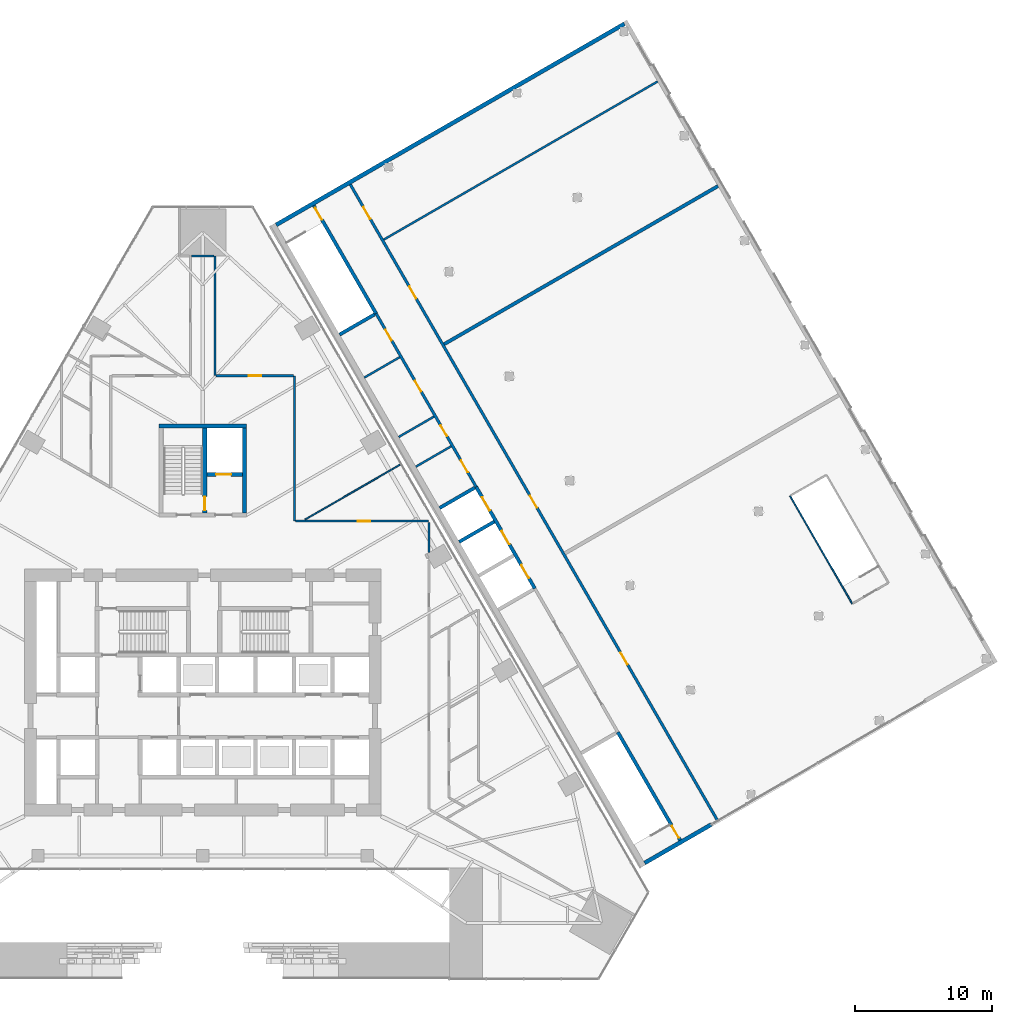
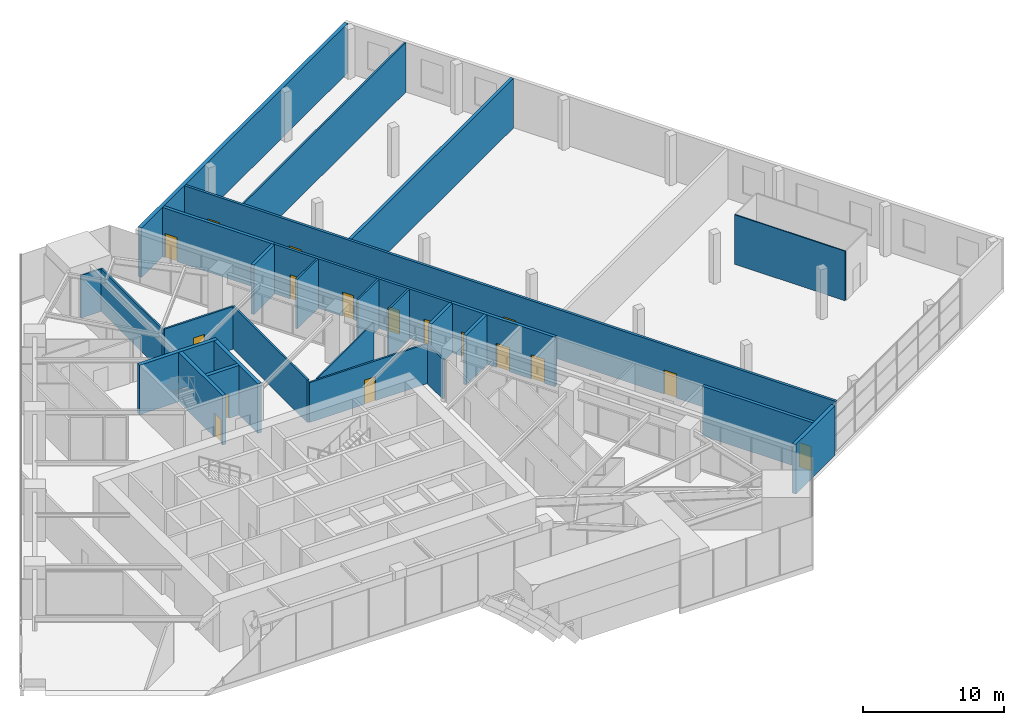
# One storey, part 19 of 23: 27 walls, 17 doors, 17 openings.
"""IFC4 building model written with IfcOpenShell, lengths in metres."""

from ifc_helpers import new_model, si_unit, direction, frame, frame_2d, origin, place, context, subcontext, project, spatial, rectangle, extrude, material, layer, layer_set, type_object, element, fill, save


model = new_model("IFC4")

# Units and contexts
model_context = context("Model", 3, precision=1e-05, world=origin(), true_north=direction((0.0, 1.0)))
body_context = subcontext(model_context, "Body", "Model", "MODEL_VIEW")
ifc_project = project(units=[si_unit("LENGTHUNIT", "METRE"), si_unit("AREAUNIT", "SQUARE_METRE"), si_unit("VOLUMEUNIT", "CUBIC_METRE"), si_unit("PLANEANGLEUNIT", "RADIAN"), si_unit("MASSUNIT", "GRAM", prefix="KILO")], contexts=[model_context])

# Site, building, storey
site_placement = place(None, origin())
site = spatial("IfcSite", under=ifc_project, at=site_placement, CompositionType="ELEMENT")
building_placement = place(site_placement, origin())
building = spatial("IfcBuilding", under=site, at=building_placement, Name="Firuza Gate Tower and Library", CompositionType="ELEMENT")
storey_placement = place(building_placement, frame((0.0, 0.0, 21.800048828125)))
storey = spatial("IfcBuildingStorey", under=building, at=storey_placement, Name="L04", CompositionType="ELEMENT", Elevation=21.800048828125)

# Walls
ifc_material_1 = material(Name="Concrete C80/95", Category="concrete")
ifc_layer_1 = layer(ifc_material_1, 0.300048828125)
ifc_layer_set_1 = layer_set([ifc_layer_1], Name="Core wall 300 C80/95")
wall_type_1 = type_object("IfcWallType", Name="Core wall 300 C80/95", PredefinedType="SHEAR", material=ifc_layer_set_1)
wall_1_placement = place(storey_placement, frame((71.800048828125, 94.449951171875, 0.0), z_axis=(0.0, 0.0, 1.0), x_axis=(1.0, 0.0, 0.0)))
element("IfcWall", 1, at=wall_1_placement, inside=storey, type_object=wall_type_1, Name="Core wall L04 35", PredefinedType="SHEAR", context=body_context, shape_type="SweptSolid", body=[
    extrude(rectangle(XDim=6.39990234375, YDim=0.300048828125, at=frame_2d((3.199951171875, 0.0))), origin(), (0.0, 0.0, 1.0), 4.300048828125),
])
wall_2_placement = place(storey_placement, frame((78.050048828125, 88.10009765625, 0.0), z_axis=(0.0, 0.0, 1.0), x_axis=(0.0, 1.0, 0.0)))
element("IfcWall", 2, at=wall_2_placement, inside=storey, type_object=wall_type_1, Name="Core wall L04 37", PredefinedType="SHEAR", context=body_context, shape_type="SweptSolid", body=[
    extrude(rectangle(XDim=6.199951171875, YDim=0.300048828125, at=frame_2d((3.10009765625, 0.0))), origin(), (0.0, 0.0, 1.0), 4.300048828125),
])

# Wall, opening, door
wall_3_placement = place(storey_placement, frame((75.300048828125, 90.89990234375, 0.0), z_axis=(0.0, 0.0, 1.0), x_axis=(1.0, 0.0, 0.0)))
wall_3 = element("IfcWall", 3, at=wall_3_placement, inside=storey, type_object=wall_type_1, Name="Core wall L04 38", PredefinedType="SHEAR", context=body_context, shape_type="SweptSolid", body=[
    extrude(rectangle(XDim=2.599853515625, YDim=0.300048828125, at=frame_2d((1.2998046875, 0.0))), origin(), (0.0, 0.0, 1.0), 4.300048828125),
])
opening_1_placement = place(wall_3_placement, frame((0.675048828125, 0.0, 0.0)))
opening_1 = element("IfcOpeningElement", 4, at=opening_1_placement, cuts=wall_3, Name="Opening LD-SV1-L04", PredefinedType="OPENING", context=body_context, shape_type="SweptSolid", body=[
    extrude(rectangle(XDim=1.10009765625, YDim=2.10009765625, at=frame_2d((0.550048828125, 1.050048828125))), frame((0.0, 0.16015625, 0.0), z_axis=(0.0, -1.0, 0.0), x_axis=(1.0, 0.0, 0.0)), (0.0, 0.0, 1.0), 0.320068359375),
])
ifc_material_2 = material(Name="Stainless steel", Category="steel")
door_type_1 = type_object("IfcDoorType", Name="Lift landing door 1100x2100", OperationType="DOUBLE_DOOR_SLIDING", PredefinedType="DOOR", material=ifc_material_2)
door_1_placement = place(opening_1_placement, origin())
door_1 = element("IfcDoor", 5, at=door_1_placement, inside=storey, type_object=door_type_1, Name="Landing door SV1 L04", OperationType="DOUBLE_DOOR_SLIDING", OverallHeight=2.10009765625, OverallWidth=1.10009765625, PredefinedType="DOOR", context=body_context, shape_type="SweptSolid", body=[
    extrude(rectangle(XDim=1.10009765625, YDim=2.10009765625, at=frame_2d((0.550048828125, 1.050048828125))), frame((0.0, 0.02490234375, 0.0), z_axis=(0.0, -1.0, 0.0), x_axis=(1.0, 0.0, 0.0)), (0.0, 0.0, 1.0), 0.050048828125),
])
fill(opening_1, door_1)

wall_4_placement = place(storey_placement, frame((75.14990234375, 88.10009765625, 0.0), z_axis=(0.0, 0.0, 1.0), x_axis=(0.0, 1.0, 0.0)))
wall_4 = element("IfcWall", 6, at=wall_4_placement, inside=storey, type_object=wall_type_1, Name="Core wall L04 39", PredefinedType="SHEAR", context=body_context, shape_type="SweptSolid", body=[
    extrude(rectangle(XDim=6.199951171875, YDim=0.300048828125, at=frame_2d((3.10009765625, 0.0))), origin(), (0.0, 0.0, 1.0), 4.300048828125),
])
opening_2_placement = place(wall_4_placement, frame((0.18505859375, 0.0, 0.0)))
opening_2 = element("IfcOpeningElement", 7, at=opening_2_placement, cuts=wall_4, Name="Opening L04-K18", PredefinedType="OPENING", context=body_context, shape_type="SweptSolid", body=[
    extrude(rectangle(XDim=1.0, YDim=2.10009765625, at=frame_2d((0.5, 1.050048828125))), frame((0.0, 0.16015625, 0.0), z_axis=(0.0, -1.0, 0.0), x_axis=(1.0, 0.0, 0.0)), (0.0, 0.0, 1.0), 0.320068359375),
])
ifc_material_3 = material(Name="Steel", Category="steel")
door_type_2 = type_object("IfcDoorType", Name="Fire door 1000x2100 FD90", OperationType="NOTDEFINED", PredefinedType="DOOR", material=ifc_material_3)
door_2_placement = place(opening_2_placement, origin())
door_2 = element("IfcDoor", 8, at=door_2_placement, inside=storey, type_object=door_type_2, Name="Door L04-K18", OperationType="SINGLE_SWING_LEFT", OverallHeight=2.10009765625, OverallWidth=1.0, PredefinedType="DOOR", context=body_context, shape_type="SweptSolid", body=[
    extrude(rectangle(XDim=1.0, YDim=2.10009765625, at=frame_2d((0.5, 1.050048828125))), frame((0.0, 0.02490234375, 0.0), z_axis=(0.0, -1.0, 0.0), x_axis=(1.0, 0.0, 0.0)), (0.0, 0.0, 1.0), 0.050048828125),
])
fill(opening_2, door_2)

ifc_material_4 = material(Name="Gypsum board partition")
ifc_layer_2 = layer(ifc_material_4, 0.14990234375)
ifc_layer_set_2 = layer_set([ifc_layer_2], Name="Corridor wall 150 double board on steel studs")
wall_type_2 = type_object("IfcWallType", Name="Corridor wall 150 double board on steel studs", PredefinedType="PARTITIONING", material=ifc_layer_set_2)
wall_5_placement = place(storey_placement, frame((81.77490234375, 87.5, 0.0), z_axis=(0.0, 0.0, 1.0), x_axis=(1.0, 0.0, 0.0)))
wall_5 = element("IfcWall", 9, at=wall_5_placement, inside=storey, type_object=wall_type_2, Name="f:L04:w000", PredefinedType="PARTITIONING", context=body_context, shape_type="SweptSolid", body=[
    extrude(rectangle(XDim=9.661865234375, YDim=0.14990234375, at=frame_2d((4.8310546875, 0.0))), origin(), (0.0, 0.0, 1.0), 3.46484375),
])
opening_3_placement = place(wall_5_placement, frame((4.51708984375, 0.0, 0.0)))
opening_3 = element("IfcOpeningElement", 10, at=opening_3_placement, cuts=wall_5, Name="Opening L04-01", PredefinedType="OPENING", context=body_context, shape_type="SweptSolid", body=[
    extrude(rectangle(XDim=0.89990234375, YDim=2.10009765625, at=frame_2d((0.449951171875, 1.050048828125))), frame((0.0, 0.0849609375, 0.0), z_axis=(0.0, -1.0, 0.0), x_axis=(1.0, 0.0, 0.0)), (0.0, 0.0, 1.0), 0.169921875),
])
ifc_material_5 = material(Name="Steel door and timber leaf", Category="steel")
door_type_3 = type_object("IfcDoorType", Name="Fire door 900 x 2100 steel frame, timber leaf", OperationType="NOTDEFINED", PredefinedType="DOOR", material=ifc_material_5)
door_3_placement = place(opening_3_placement, origin())
door_3 = element("IfcDoor", 11, at=door_3_placement, inside=storey, type_object=door_type_3, Name="f:L04:d001", OperationType="SINGLE_SWING_LEFT", OverallHeight=2.10009765625, OverallWidth=0.89990234375, PredefinedType="DOOR", context=body_context, shape_type="SweptSolid", body=[
    extrude(rectangle(XDim=0.89990234375, YDim=2.10009765625, at=frame_2d((0.449951171875, 1.050048828125))), frame((0.0, 0.02490234375, 0.0), z_axis=(0.0, -1.0, 0.0), x_axis=(1.0, 0.0, 0.0)), (0.0, 0.0, 1.0), 0.050048828125),
])
fill(opening_3, door_3)

wall_6_placement = place(storey_placement, frame((75.97509765625, 98.10009765625, 0.0), z_axis=(0.0, 0.0, 1.0), x_axis=(1.0, 0.0, 0.0)))
wall_6 = element("IfcWall", 12, at=wall_6_placement, inside=storey, type_object=wall_type_2, Name="f:L04:w002", PredefinedType="PARTITIONING", context=body_context, shape_type="SweptSolid", body=[
    extrude(rectangle(XDim=5.6494140625, YDim=0.14990234375, at=frame_2d((2.82470703125, 0.0))), origin(), (0.0, 0.0, 1.0), 3.699951171875),
])
opening_4_placement = place(wall_6_placement, frame((2.374755859375, 0.0, 0.0)))
opening_4 = element("IfcOpeningElement", 13, at=opening_4_placement, cuts=wall_6, Name="Opening L04-03", PredefinedType="OPENING", context=body_context, shape_type="SweptSolid", body=[
    extrude(rectangle(XDim=0.89990234375, YDim=2.10009765625, at=frame_2d((0.449951171875, 1.050048828125))), frame((0.0, 0.0849609375, 0.0), z_axis=(0.0, -1.0, 0.0), x_axis=(1.0, 0.0, 0.0)), (0.0, 0.0, 1.0), 0.169921875),
])
door_4_placement = place(opening_4_placement, origin())
door_4 = element("IfcDoor", 14, at=door_4_placement, inside=storey, type_object=door_type_3, Name="f:L04:d003", OperationType="SINGLE_SWING_RIGHT", OverallHeight=2.10009765625, OverallWidth=0.89990234375, PredefinedType="DOOR", context=body_context, shape_type="SweptSolid", body=[
    extrude(rectangle(XDim=0.89990234375, YDim=2.10009765625, at=frame_2d((0.449951171875, 1.050048828125))), frame((0.0, 0.02490234375, 0.0), z_axis=(0.0, -1.0, 0.0), x_axis=(1.0, 0.0, 0.0)), (0.0, 0.0, 1.0), 0.050048828125),
])
fill(opening_4, door_4)

# Walls
wall_7_placement = place(storey_placement, frame((91.499755859375, 85.219482421875, 0.0), z_axis=(0.0, 0.0, 1.0), x_axis=(0.0, 1.0, 0.0)))
element("IfcWall", 15, at=wall_7_placement, inside=storey, type_object=wall_type_2, Name="f:L04:w020", PredefinedType="PARTITIONING", context=body_context, shape_type="SweptSolid", body=[
    extrude(rectangle(XDim=2.169921875, YDim=0.14990234375, at=frame_2d((1.0849609375, 0.0))), origin(), (0.0, 0.0, 1.0), 3.46484375),
])
wall_8_placement = place(storey_placement, frame((81.699951171875, 87.5, 0.0), z_axis=(0.0, 0.0, 1.0), x_axis=(0.0, 1.0, 0.0)))
element("IfcWall", 16, at=wall_8_placement, inside=storey, type_object=wall_type_2, Name="f:L04:w021", PredefinedType="PARTITIONING", context=body_context, shape_type="SweptSolid", body=[
    extrude(rectangle(XDim=10.599365234375, YDim=0.14990234375, at=frame_2d((5.2998046875, 0.0))), origin(), (0.0, 0.0, 1.0), 3.699951171875),
])
wall_9_placement = place(storey_placement, frame((75.89990234375, 98.10009765625, 0.0), z_axis=(0.0, 0.0, 1.0), x_axis=(0.0, 1.0, 0.0)))
element("IfcWall", 17, at=wall_9_placement, inside=storey, type_object=wall_type_2, Name="f:L04:w022", PredefinedType="PARTITIONING", context=body_context, shape_type="SweptSolid", body=[
    extrude(rectangle(XDim=8.733154296875, YDim=0.14990234375, at=frame_2d((4.36669921875, 0.0))), origin(), (0.0, 0.0, 1.0), 3.699951171875),
])
wall_10_placement = place(storey_placement, frame((74.175048828125, 106.833984375, 0.0), z_axis=(0.0, 0.0, 1.0), x_axis=(1.0, 0.0, 0.0)))
element("IfcWall", 18, at=wall_10_placement, inside=storey, type_object=wall_type_2, Name="f:L04:w044", PredefinedType="PARTITIONING", context=body_context, shape_type="SweptSolid", body=[
    extrude(rectangle(XDim=1.6494140625, YDim=0.14990234375, at=frame_2d((0.82470703125, 0.0))), origin(), (0.0, 0.0, 1.0), 3.697021484375),
])

# Wall, openings, doors
ifc_material_6 = material(Name="Masonry block", Category="masonry")
ifc_layer_3 = layer(ifc_material_6, 0.199951171875)
ifc_layer_set_3 = layer_set([ifc_layer_3], Name="LIB CORRIDOR WALL 200")
wall_type_3 = type_object("IfcWallType", Name="LIB CORRIDOR WALL 200", PredefinedType="PARTITIONING", material=ifc_layer_set_3)
wall_11_placement = place(storey_placement, frame((94.929931640625, 89.99951171875, 0.0), z_axis=(0.0, 0.0, 1.0), x_axis=(-0.499997667785, 0.866026750285, 0.0)))
wall_11 = element("IfcWall", 19, at=wall_11_placement, inside=storey, type_object=wall_type_3, Name="L04 corr wall 7", PredefinedType="PARTITIONING", context=body_context, shape_type="SweptSolid", body=[
    extrude(rectangle(XDim=14.58984375, YDim=0.199951171875, at=frame_2d((7.294921875, 0.0))), origin(), (0.0, 0.0, 1.0), 4.300048828125),
])
opening_5_placement = place(wall_11_placement, frame((1.235107421875, 0.0, 0.0)))
opening_5 = element("IfcOpeningElement", 20, at=opening_5_placement, cuts=wall_11, Name="Opening LIB-D2-001", PredefinedType="OPENING", context=body_context, shape_type="SweptSolid", body=[
    extrude(rectangle(XDim=1.0, YDim=2.10009765625, at=frame_2d((0.5, 1.050048828125))), frame((0.0, 0.10986328125, 0.0), z_axis=(0.0, -1.0, 0.0), x_axis=(1.0, 0.0, 0.0)), (0.0, 0.0, 1.0), 0.219970703125),
])
opening_6_placement = place(wall_11_placement, frame((4.27490234375, 0.0, 0.0)))
opening_6 = element("IfcOpeningElement", 21, at=opening_6_placement, cuts=wall_11, Name="Opening LIB-D1-003", PredefinedType="OPENING", context=body_context, shape_type="SweptSolid", body=[
    extrude(rectangle(XDim=0.89990234375, YDim=2.10009765625, at=frame_2d((0.449951171875, 1.050048828125))), frame((0.0, 0.10986328125, 0.0), z_axis=(0.0, -1.0, 0.0), x_axis=(1.0, 0.0, 0.0)), (0.0, 0.0, 1.0), 0.219970703125),
])
opening_7_placement = place(wall_11_placement, frame((8.02490234375, 0.0, 0.0)))
opening_7 = element("IfcOpeningElement", 22, at=opening_7_placement, cuts=wall_11, Name="Opening LIB-D1-004", PredefinedType="OPENING", context=body_context, shape_type="SweptSolid", body=[
    extrude(rectangle(XDim=0.89990234375, YDim=2.10009765625, at=frame_2d((0.449951171875, 1.050048828125))), frame((0.0, 0.10986328125, 0.0), z_axis=(0.0, -1.0, 0.0), x_axis=(1.0, 0.0, 0.0)), (0.0, 0.0, 1.0), 0.219970703125),
])
opening_8_placement = place(wall_11_placement, frame((12.324951171875, 0.0, 0.0)))
opening_8 = element("IfcOpeningElement", 23, at=opening_8_placement, cuts=wall_11, Name="Opening LIB-D1-005", PredefinedType="OPENING", context=body_context, shape_type="SweptSolid", body=[
    extrude(rectangle(XDim=0.89990234375, YDim=2.10009765625, at=frame_2d((0.449951171875, 1.050048828125))), frame((0.0, 0.10986328125, 0.0), z_axis=(0.0, -1.0, 0.0), x_axis=(1.0, 0.0, 0.0)), (0.0, 0.0, 1.0), 0.219970703125),
])
ifc_material_7 = material(Name="Timber door leaf", Category="wood")
door_type_4 = type_object("IfcDoorType", Name="LIB DOOR 1000", OperationType="NOTDEFINED", PredefinedType="DOOR", material=ifc_material_7)
door_5_placement = place(opening_5_placement, origin())
door_5 = element("IfcDoor", 24, at=door_5_placement, inside=storey, type_object=door_type_4, Name="L04 door 5", OperationType="SINGLE_SWING_LEFT", OverallHeight=2.10009765625, OverallWidth=1.0, PredefinedType="DOOR", context=body_context, shape_type="SweptSolid", body=[
    extrude(rectangle(XDim=1.0, YDim=2.10009765625, at=frame_2d((0.5, 1.050048828125))), frame((0.0, 0.02490234375, 0.0), z_axis=(0.0, -1.0, 0.0), x_axis=(1.0, 0.0, 0.0)), (0.0, 0.0, 1.0), 0.050048828125),
])
fill(opening_5, door_5)
ifc_material_8 = material(Name="Timber door leaf", Category="wood")
door_type_5 = type_object("IfcDoorType", Name="LIB DOOR 900", OperationType="NOTDEFINED", PredefinedType="DOOR", material=ifc_material_8)
door_6_placement = place(opening_6_placement, origin())
door_6 = element("IfcDoor", 25, at=door_6_placement, inside=storey, type_object=door_type_5, Name="L04 door 6", OperationType="SINGLE_SWING_RIGHT", OverallHeight=2.10009765625, OverallWidth=0.89990234375, PredefinedType="DOOR", context=body_context, shape_type="SweptSolid", body=[
    extrude(rectangle(XDim=0.89990234375, YDim=2.10009765625, at=frame_2d((0.449951171875, 1.050048828125))), frame((0.0, 0.02490234375, 0.0), z_axis=(0.0, -1.0, 0.0), x_axis=(1.0, 0.0, 0.0)), (0.0, 0.0, 1.0), 0.050048828125),
])
fill(opening_6, door_6)
door_7_placement = place(opening_7_placement, origin())
door_7 = element("IfcDoor", 26, at=door_7_placement, inside=storey, type_object=door_type_5, Name="L04 door 10", OperationType="SINGLE_SWING_RIGHT", OverallHeight=2.10009765625, OverallWidth=0.89990234375, PredefinedType="DOOR", context=body_context, shape_type="SweptSolid", body=[
    extrude(rectangle(XDim=0.89990234375, YDim=2.10009765625, at=frame_2d((0.449951171875, 1.050048828125))), frame((0.0, 0.02490234375, 0.0), z_axis=(0.0, -1.0, 0.0), x_axis=(1.0, 0.0, 0.0)), (0.0, 0.0, 1.0), 0.050048828125),
])
fill(opening_7, door_7)
door_8_placement = place(opening_8_placement, origin())
door_8 = element("IfcDoor", 27, at=door_8_placement, inside=storey, type_object=door_type_5, Name="L04 door 11", OperationType="SINGLE_SWING_LEFT", OverallHeight=2.10009765625, OverallWidth=0.89990234375, PredefinedType="DOOR", context=body_context, shape_type="SweptSolid", body=[
    extrude(rectangle(XDim=0.89990234375, YDim=2.10009765625, at=frame_2d((0.449951171875, 1.050048828125))), frame((0.0, 0.02490234375, 0.0), z_axis=(0.0, -1.0, 0.0), x_axis=(1.0, 0.0, 0.0)), (0.0, 0.0, 1.0), 0.050048828125),
])
fill(opening_8, door_8)

wall_12_placement = place(storey_placement, frame((112.49560546875, 65.72509765625, 0.0), z_axis=(0.0, 0.0, 1.0), x_axis=(-0.499998673217, 0.866026169802, 0.0)))
wall_12 = element("IfcWall", 28, at=wall_12_placement, inside=storey, type_object=wall_type_3, Name="L04 corr wall 16", PredefinedType="PARTITIONING", context=body_context, shape_type="SweptSolid", body=[
    extrude(rectangle(XDim=53.480224609375, YDim=0.199951171875, at=frame_2d((26.740234375, 0.0))), origin(), (0.0, 0.0, 1.0), 4.300048828125),
])
opening_9_placement = place(wall_12_placement, frame((13.080078125, 0.0, 0.0)))
opening_9 = element("IfcOpeningElement", 29, at=opening_9_placement, cuts=wall_12, Name="Opening LIB-D2-003", PredefinedType="OPENING", context=body_context, shape_type="SweptSolid", body=[
    extrude(rectangle(XDim=1.0, YDim=2.10009765625, at=frame_2d((0.5, 1.050048828125))), frame((0.0, 0.10986328125, 0.0), z_axis=(0.0, -1.0, 0.0), x_axis=(1.0, 0.0, 0.0)), (0.0, 0.0, 1.0), 0.219970703125),
])
opening_10_placement = place(wall_12_placement, frame((26.280029296875, 0.0, 0.0)))
opening_10 = element("IfcOpeningElement", 30, at=opening_10_placement, cuts=wall_12, Name="Opening LIB-D2-004", PredefinedType="OPENING", context=body_context, shape_type="SweptSolid", body=[
    extrude(rectangle(XDim=1.0, YDim=2.10009765625, at=frame_2d((0.5, 1.050048828125))), frame((0.0, 0.10986328125, 0.0), z_axis=(0.0, -1.0, 0.0), x_axis=(1.0, 0.0, 0.0)), (0.0, 0.0, 1.0), 0.219970703125),
])
opening_11_placement = place(wall_12_placement, frame((43.8798828125, 0.0, 0.0)))
opening_11 = element("IfcOpeningElement", 31, at=opening_11_placement, cuts=wall_12, Name="Opening LIB-D2-005", PredefinedType="OPENING", context=body_context, shape_type="SweptSolid", body=[
    extrude(rectangle(XDim=1.0, YDim=2.10009765625, at=frame_2d((0.5, 1.050048828125))), frame((0.0, 0.10986328125, 0.0), z_axis=(0.0, -1.0, 0.0), x_axis=(1.0, 0.0, 0.0)), (0.0, 0.0, 1.0), 0.219970703125),
])
opening_12_placement = place(wall_12_placement, frame((50.580078125, 0.0, 0.0)))
opening_12 = element("IfcOpeningElement", 32, at=opening_12_placement, cuts=wall_12, Name="Opening LIB-D2-006", PredefinedType="OPENING", context=body_context, shape_type="SweptSolid", body=[
    extrude(rectangle(XDim=1.0, YDim=2.10009765625, at=frame_2d((0.5, 1.050048828125))), frame((0.0, 0.10986328125, 0.0), z_axis=(0.0, -1.0, 0.0), x_axis=(1.0, 0.0, 0.0)), (0.0, 0.0, 1.0), 0.219970703125),
])
door_9_placement = place(opening_9_placement, origin())
door_9 = element("IfcDoor", 33, at=door_9_placement, inside=storey, type_object=door_type_4, Name="L04 door 13", OperationType="SINGLE_SWING_LEFT", OverallHeight=2.10009765625, OverallWidth=1.0, PredefinedType="DOOR", context=body_context, shape_type="SweptSolid", body=[
    extrude(rectangle(XDim=1.0, YDim=2.10009765625, at=frame_2d((0.5, 1.050048828125))), frame((0.0, 0.02490234375, 0.0), z_axis=(0.0, -1.0, 0.0), x_axis=(1.0, 0.0, 0.0)), (0.0, 0.0, 1.0), 0.050048828125),
])
fill(opening_9, door_9)
door_10_placement = place(opening_10_placement, origin())
door_10 = element("IfcDoor", 34, at=door_10_placement, inside=storey, type_object=door_type_4, Name="L04 door 14", OperationType="SINGLE_SWING_RIGHT", OverallHeight=2.10009765625, OverallWidth=1.0, PredefinedType="DOOR", context=body_context, shape_type="SweptSolid", body=[
    extrude(rectangle(XDim=1.0, YDim=2.10009765625, at=frame_2d((0.5, 1.050048828125))), frame((0.0, 0.02490234375, 0.0), z_axis=(0.0, -1.0, 0.0), x_axis=(1.0, 0.0, 0.0)), (0.0, 0.0, 1.0), 0.050048828125),
])
fill(opening_10, door_10)
door_11_placement = place(opening_11_placement, origin())
door_11 = element("IfcDoor", 35, at=door_11_placement, inside=storey, type_object=door_type_4, Name="L04 door 15", OperationType="SINGLE_SWING_LEFT", OverallHeight=2.10009765625, OverallWidth=1.0, PredefinedType="DOOR", context=body_context, shape_type="SweptSolid", body=[
    extrude(rectangle(XDim=1.0, YDim=2.10009765625, at=frame_2d((0.5, 1.050048828125))), frame((0.0, 0.02490234375, 0.0), z_axis=(0.0, -1.0, 0.0), x_axis=(1.0, 0.0, 0.0)), (0.0, 0.0, 1.0), 0.050048828125),
])
fill(opening_11, door_11)
door_12_placement = place(opening_12_placement, origin())
door_12 = element("IfcDoor", 36, at=door_12_placement, inside=storey, type_object=door_type_4, Name="L04 door 16", OperationType="SINGLE_SWING_RIGHT", OverallHeight=2.10009765625, OverallWidth=1.0, PredefinedType="DOOR", context=body_context, shape_type="SweptSolid", body=[
    extrude(rectangle(XDim=1.0, YDim=2.10009765625, at=frame_2d((0.5, 1.050048828125))), frame((0.0, 0.02490234375, 0.0), z_axis=(0.0, -1.0, 0.0), x_axis=(1.0, 0.0, 0.0)), (0.0, 0.0, 1.0), 0.050048828125),
])
fill(opening_12, door_12)

# Walls
ifc_material_9 = material(Name="Concrete C30/37", Category="concrete")
ifc_layer_4 = layer(ifc_material_9, 0.300048828125)
ifc_layer_set_4 = layer_set([ifc_layer_4], Name="LIB EXTERNAL WALL 300")
wall_type_4 = type_object("IfcWallType", Name="LIB EXTERNAL WALL 300", PredefinedType="SOLIDWALL", material=ifc_layer_set_4)
wall_13_placement = place(storey_placement, frame((107.204345703125, 62.589599609375, 0.0), z_axis=(0.0, 0.0, 1.0), x_axis=(0.866045472092, 0.499965239061, 0.0)))
element("IfcWall", 37, at=wall_13_placement, inside=storey, type_object=wall_type_4, Name="L04 south wall S1", PredefinedType="SOLIDWALL", context=body_context, shape_type="SweptSolid", body=[
    extrude(rectangle(XDim=5.60009765625, YDim=0.300048828125, at=frame_2d((2.800048828125, 0.0))), origin(), (0.0, 0.0, 1.0), 4.300048828125),
])
wall_14_placement = place(storey_placement, frame((80.3544921875, 109.09521484375, 0.0), z_axis=(0.0, 0.0, 1.0), x_axis=(0.866026568746, 0.499997982221, 0.0)))
element("IfcWall", 38, at=wall_14_placement, inside=storey, type_object=wall_type_4, Name="L04 north wall", PredefinedType="SOLIDWALL", context=body_context, shape_type="SweptSolid", body=[
    extrude(rectangle(XDim=29.2998046875, YDim=0.300048828125, at=frame_2d((14.64990234375, 0.0))), origin(), (0.0, 0.0, 1.0), 4.300048828125),
])
ifc_material_10 = material(Name="Laminated glass", Category="glass")
ifc_layer_5 = layer(ifc_material_10, 0.10009765625)
ifc_layer_set_5 = layer_set([ifc_layer_5], Name="LIB GLAZED STAIR SCREEN 100")
wall_type_5 = type_object("IfcWallType", Name="LIB GLAZED STAIR SCREEN 100", PredefinedType="PARTITIONING", material=ifc_layer_set_5)
wall_15_placement = place(storey_placement, frame((122.333251953125, 81.485595703125, 0.0), z_axis=(0.0, 0.0, 1.0), x_axis=(-0.500002365587, 0.866024038008, 0.0)))
element("IfcWall", 39, at=wall_15_placement, inside=storey, type_object=wall_type_5, Name="L04 glass wall 18", PredefinedType="PARTITIONING", context=body_context, shape_type="SweptSolid", body=[
    extrude(rectangle(XDim=9.06005859375, YDim=0.10009765625, at=frame_2d((4.530029296875, 0.0))), origin(), (0.0, 0.0, 1.0), 4.300048828125),
])
ifc_material_11 = material(Name="Gypsum board on steel studs", Category="steel")
ifc_layer_6 = layer(ifc_material_11, 0.14990234375)
ifc_layer_set_6 = layer_set([ifc_layer_6], Name="LIB PARTITION 150")
wall_type_6 = type_object("IfcWallType", Name="LIB PARTITION 150", PredefinedType="PARTITIONING", material=ifc_layer_set_6)
for number, where, z_axis, x_axis, name in (
    (40, (90.529296875, 91.471435546875, 0.0), (0.0, 0.0, 1.0), (0.866017493347, 0.500013701029, 0.0), "L04 part wall 12"),
    (41, (89.279296875, 93.636474609375, 0.0), (0.0, 0.0, 1.0), (0.866017493347, 0.500013701029, 0.0), "L04 part wall 13"),
):
    element("IfcWall", number, at=place(storey_placement, frame(where, z_axis=z_axis, x_axis=x_axis)), inside=storey, type_object=wall_type_6, Name=name, PredefinedType="PARTITIONING", context=body_context, shape_type="SweptSolid", body=[
        extrude(rectangle(XDim=2.97509765625, YDim=0.14990234375, at=frame_2d((1.487548828125, 0.0))), origin(), (0.0, 0.0, 1.0), 4.300048828125),
    ])
wall_16_placement = place(storey_placement, frame((86.779296875, 97.966796875, 0.0), z_axis=(0.0, 0.0, 1.0), x_axis=(0.866053027861, 0.499952150643, 0.0)))
element("IfcWall", 42, at=wall_16_placement, inside=storey, type_object=wall_type_6, Name="L04 part wall 14", PredefinedType="PARTITIONING", context=body_context, shape_type="SweptSolid", body=[
    extrude(rectangle(XDim=2.974853515625, YDim=0.14990234375, at=frame_2d((1.4873046875, 0.0))), origin(), (0.0, 0.0, 1.0), 4.300048828125),
])
wall_17_placement = place(storey_placement, frame((88.192138671875, 108.02001953125, 0.0), z_axis=(0.0, 0.0, 1.0), x_axis=(0.866027547497, 0.499996286962, 0.0)))
element("IfcWall", 43, at=wall_17_placement, inside=storey, type_object=wall_type_6, Name="L04 part wall 23", PredefinedType="PARTITIONING", context=body_context, shape_type="SweptSolid", body=[
    extrude(rectangle(XDim=23.050048828125, YDim=0.14990234375, at=frame_2d((11.52490234375, 0.0))), origin(), (0.0, 0.0, 1.0), 4.300048828125),
])

# Wall, opening, door
ifc_material_12 = material(Name="Concrete C40/50", Category="concrete")
ifc_layer_7 = layer(ifc_material_12, 0.25)
ifc_layer_set_7 = layer_set([ifc_layer_7], Name="LIB SHAFT WALL 250")
wall_type_7 = type_object("IfcWallType", Name="LIB SHAFT WALL 250", PredefinedType="SOLIDWALL", material=ifc_layer_set_7)
wall_18_placement = place(storey_placement, frame((109.79248046875, 64.2568359375, 0.0), z_axis=(0.0, 0.0, 1.0), x_axis=(-0.499994616197, 0.866028512102, 0.0)))
wall_18 = element("IfcWall", 44, at=wall_18_placement, inside=storey, type_object=wall_type_7, Name="L04 shaft wall 2", PredefinedType="SOLIDWALL", context=body_context, shape_type="SweptSolid", body=[
    extrude(rectangle(XDim=9.0849609375, YDim=0.25, at=frame_2d((4.54248046875, 0.0))), origin(), (0.0, 0.0, 1.0), 4.300048828125),
])
opening_13_placement = place(wall_18_placement, frame((0.199951171875, 0.0, 0.0)))
opening_13 = element("IfcOpeningElement", 45, at=opening_13_placement, cuts=wall_18, Name="Opening LIB-D4-001", PredefinedType="OPENING", context=body_context, shape_type="SweptSolid", body=[
    extrude(rectangle(XDim=1.0, YDim=2.10009765625, at=frame_2d((0.5, 1.050048828125))), frame((0.0, 0.135009765625, 0.0), z_axis=(0.0, -1.0, 0.0), x_axis=(1.0, 0.0, 0.0)), (0.0, 0.0, 1.0), 0.27001953125),
])
ifc_material_13 = material(Name="Steel S235 door leaf", Category="steel")
door_type_6 = type_object("IfcDoorType", Name="LIB FIRE DOOR 1000", OperationType="NOTDEFINED", PredefinedType="DOOR", material=ifc_material_13)
door_13_placement = place(opening_13_placement, origin())
door_13 = element("IfcDoor", 46, at=door_13_placement, inside=storey, type_object=door_type_6, Name="L04 door 1", OperationType="SINGLE_SWING_LEFT", OverallHeight=2.10009765625, OverallWidth=1.0, PredefinedType="DOOR", context=body_context, shape_type="SweptSolid", body=[
    extrude(rectangle(XDim=1.0, YDim=2.10009765625, at=frame_2d((0.5, 1.050048828125))), frame((0.0, 0.02490234375, 0.0), z_axis=(0.0, -1.0, 0.0), x_axis=(1.0, 0.0, 0.0)), (0.0, 0.0, 1.0), 0.050048828125),
])
fill(opening_13, door_13)

# Wall, openings, doors
wall_19_placement = place(storey_placement, frame((99.205078125, 82.594970703125, 0.0), z_axis=(0.0, 0.0, 1.0), x_axis=(-0.500011643316, 0.866018681408, 0.0)))
wall_19 = element("IfcWall", 47, at=wall_19_placement, inside=storey, type_object=wall_type_7, Name="L04 shaft wall 3", PredefinedType="SOLIDWALL", context=body_context, shape_type="SweptSolid", body=[
    extrude(rectangle(XDim=8.550048828125, YDim=0.25, at=frame_2d((4.27490234375, 0.0))), origin(), (0.0, 0.0, 1.0), 4.300048828125),
])
opening_14_placement = place(wall_19_placement, frame((0.875, 0.0, 0.0)))
opening_14 = element("IfcOpeningElement", 48, at=opening_14_placement, cuts=wall_19, Name="Opening LIB-LD1-001", PredefinedType="OPENING", context=body_context, shape_type="SweptSolid", body=[
    extrude(rectangle(XDim=1.10009765625, YDim=2.10009765625, at=frame_2d((0.550048828125, 1.050048828125))), frame((0.0, 0.135009765625, 0.0), z_axis=(0.0, -1.0, 0.0), x_axis=(1.0, 0.0, 0.0)), (0.0, 0.0, 1.0), 0.27001953125),
])
opening_15_placement = place(wall_19_placement, frame((3.72509765625, 0.0, 0.0)))
opening_15 = element("IfcOpeningElement", 49, at=opening_15_placement, cuts=wall_19, Name="Opening LIB-LD1-002", PredefinedType="OPENING", context=body_context, shape_type="SweptSolid", body=[
    extrude(rectangle(XDim=1.10009765625, YDim=2.10009765625, at=frame_2d((0.550048828125, 1.050048828125))), frame((0.0, 0.135009765625, 0.0), z_axis=(0.0, -1.0, 0.0), x_axis=(1.0, 0.0, 0.0)), (0.0, 0.0, 1.0), 0.27001953125),
])
opening_16_placement = place(wall_19_placement, frame((6.574951171875, 0.0, 0.0)))
opening_16 = element("IfcOpeningElement", 50, at=opening_16_placement, cuts=wall_19, Name="Opening LIB-LD1-003", PredefinedType="OPENING", context=body_context, shape_type="SweptSolid", body=[
    extrude(rectangle(XDim=1.10009765625, YDim=2.10009765625, at=frame_2d((0.550048828125, 1.050048828125))), frame((0.0, 0.135009765625, 0.0), z_axis=(0.0, -1.0, 0.0), x_axis=(1.0, 0.0, 0.0)), (0.0, 0.0, 1.0), 0.27001953125),
])
ifc_material_14 = material(Name="Stainless steel 316", Category="steel")
door_type_7 = type_object("IfcDoorType", Name="LIB LANDING DOOR 1100", OperationType="DOUBLE_DOOR_SLIDING", PredefinedType="DOOR", material=ifc_material_14)
door_14_placement = place(opening_14_placement, origin())
door_14 = element("IfcDoor", 51, at=door_14_placement, inside=storey, type_object=door_type_7, Name="L04 door 7", OperationType="DOUBLE_DOOR_SLIDING", OverallHeight=2.10009765625, OverallWidth=1.10009765625, PredefinedType="DOOR", context=body_context, shape_type="SweptSolid", body=[
    extrude(rectangle(XDim=1.10009765625, YDim=2.10009765625, at=frame_2d((0.550048828125, 1.050048828125))), frame((0.0, 0.02490234375, 0.0), z_axis=(0.0, -1.0, 0.0), x_axis=(1.0, 0.0, 0.0)), (0.0, 0.0, 1.0), 0.050048828125),
])
fill(opening_14, door_14)
door_15_placement = place(opening_15_placement, origin())
door_15 = element("IfcDoor", 52, at=door_15_placement, inside=storey, type_object=door_type_7, Name="L04 door 8", OperationType="DOUBLE_DOOR_SLIDING", OverallHeight=2.10009765625, OverallWidth=1.10009765625, PredefinedType="DOOR", context=body_context, shape_type="SweptSolid", body=[
    extrude(rectangle(XDim=1.10009765625, YDim=2.10009765625, at=frame_2d((0.550048828125, 1.050048828125))), frame((0.0, 0.02490234375, 0.0), z_axis=(0.0, -1.0, 0.0), x_axis=(1.0, 0.0, 0.0)), (0.0, 0.0, 1.0), 0.050048828125),
])
fill(opening_15, door_15)
door_16_placement = place(opening_16_placement, origin())
door_16 = element("IfcDoor", 53, at=door_16_placement, inside=storey, type_object=door_type_7, Name="L04 door 9", OperationType="DOUBLE_DOOR_SLIDING", OverallHeight=2.10009765625, OverallWidth=1.10009765625, PredefinedType="DOOR", context=body_context, shape_type="SweptSolid", body=[
    extrude(rectangle(XDim=1.10009765625, YDim=2.10009765625, at=frame_2d((0.550048828125, 1.050048828125))), frame((0.0, 0.02490234375, 0.0), z_axis=(0.0, -1.0, 0.0), x_axis=(1.0, 0.0, 0.0)), (0.0, 0.0, 1.0), 0.050048828125),
])
fill(opening_16, door_16)

# Wall, opening, door
wall_20_placement = place(storey_placement, frame((87.635009765625, 102.634765625, 0.0), z_axis=(0.0, 0.0, 1.0), x_axis=(-0.499994616197, 0.866028512102, 0.0)))
wall_20 = element("IfcWall", 54, at=wall_20_placement, inside=storey, type_object=wall_type_7, Name="L04 shaft wall 4", PredefinedType="SOLIDWALL", context=body_context, shape_type="SweptSolid", body=[
    extrude(rectangle(XDim=9.0849609375, YDim=0.25, at=frame_2d((4.54248046875, 0.0))), origin(), (0.0, 0.0, 1.0), 4.300048828125),
])
opening_17_placement = place(wall_20_placement, frame((7.885009765625, 0.0, 0.0)))
opening_17 = element("IfcOpeningElement", 55, at=opening_17_placement, cuts=wall_20, Name="Opening LIB-D4-002", PredefinedType="OPENING", context=body_context, shape_type="SweptSolid", body=[
    extrude(rectangle(XDim=1.0, YDim=2.10009765625, at=frame_2d((0.5, 1.050048828125))), frame((0.0, 0.135009765625, 0.0), z_axis=(0.0, -1.0, 0.0), x_axis=(1.0, 0.0, 0.0)), (0.0, 0.0, 1.0), 0.27001953125),
])
door_17_placement = place(opening_17_placement, origin())
door_17 = element("IfcDoor", 56, at=door_17_placement, inside=storey, type_object=door_type_6, Name="L04 door 2", OperationType="SINGLE_SWING_RIGHT", OverallHeight=2.10009765625, OverallWidth=1.0, PredefinedType="DOOR", context=body_context, shape_type="SweptSolid", body=[
    extrude(rectangle(XDim=1.0, YDim=2.10009765625, at=frame_2d((0.5, 1.050048828125))), frame((0.0, 0.02490234375, 0.0), z_axis=(0.0, -1.0, 0.0), x_axis=(1.0, 0.0, 0.0)), (0.0, 0.0, 1.0), 0.050048828125),
])
fill(opening_17, door_17)

# Walls
wall_21_placement = place(storey_placement, frame((93.69189453125, 85.993896484375, 0.0), z_axis=(0.0, 0.0, 1.0), x_axis=(0.866003658127, 0.500037662692, 0.0)))
element("IfcWall", 57, at=wall_21_placement, inside=storey, type_object=wall_type_7, Name="L04 shaft wall 10", PredefinedType="SOLIDWALL", context=body_context, shape_type="SweptSolid", body=[
    extrude(rectangle(XDim=2.949951171875, YDim=0.25, at=frame_2d((1.47509765625, 0.0))), origin(), (0.0, 0.0, 1.0), 4.300048828125),
])
wall_22_placement = place(storey_placement, frame((92.266845703125, 88.4619140625, 0.0), z_axis=(0.0, 0.0, 1.0), x_axis=(0.866024349092, 0.500001826776, 0.0)))
element("IfcWall", 58, at=wall_22_placement, inside=storey, type_object=wall_type_7, Name="L04 shaft wall 11", PredefinedType="SOLIDWALL", context=body_context, shape_type="SweptSolid", body=[
    extrude(rectangle(XDim=2.9501953125, YDim=0.25, at=frame_2d((1.47509765625, 0.0))), origin(), (0.0, 0.0, 1.0), 4.300048828125),
])
wall_23_placement = place(storey_placement, frame((84.971923828125, 101.097412109375, 0.0), z_axis=(0.0, 0.0, 1.0), x_axis=(0.866039495442, 0.49997559174, 0.0)))
element("IfcWall", 59, at=wall_23_placement, inside=storey, type_object=wall_type_7, Name="L04 shaft wall 15", PredefinedType="SOLIDWALL", context=body_context, shape_type="SweptSolid", body=[
    extrude(rectangle(XDim=2.949951171875, YDim=0.25, at=frame_2d((1.47509765625, 0.0))), origin(), (0.0, 0.0, 1.0), 4.300048828125),
])
wall_24_placement = place(storey_placement, frame((92.592041015625, 100.398681640625, 0.0), z_axis=(0.0, 0.0, 1.0), x_axis=(0.866022961126, 0.500004230785, 0.0)))
element("IfcWall", 60, at=wall_24_placement, inside=storey, type_object=wall_type_7, Name="L04 shaft wall 22", PredefinedType="SOLIDWALL", context=body_context, shape_type="SweptSolid", body=[
    extrude(rectangle(XDim=23.050048828125, YDim=0.25, at=frame_2d((11.52490234375, 0.0))), origin(), (0.0, 0.0, 1.0), 4.300048828125),
])
ifc_material_15 = material(Name="Gypsum board partition")
ifc_layer_8 = layer(ifc_material_15, 0.10009765625)
ifc_layer_set_8 = layer_set([ifc_layer_8], Name="Partition 100 gypsum board on steel studs")
wall_type_8 = type_object("IfcWallType", Name="Partition 100 gypsum board on steel studs", PredefinedType="PARTITIONING", material=ifc_layer_set_8)
wall_25_placement = place(storey_placement, frame((82.45849609375, 87.6201171875, 0.0), z_axis=(0.0, 0.0, 1.0), x_axis=(0.86602800189, 0.499995499922, 0.0)))
element("IfcWall", 61, at=wall_25_placement, inside=storey, type_object=wall_type_8, Name="f:L04:w012", PredefinedType="PARTITIONING", context=body_context, shape_type="SweptSolid", body=[
    extrude(rectangle(XDim=8.0751953125, YDim=0.10009765625, at=frame_2d((4.03759765625, 0.0))), origin(), (0.0, 0.0, 1.0), 3.46484375),
])

save(model, "model.ifc")
